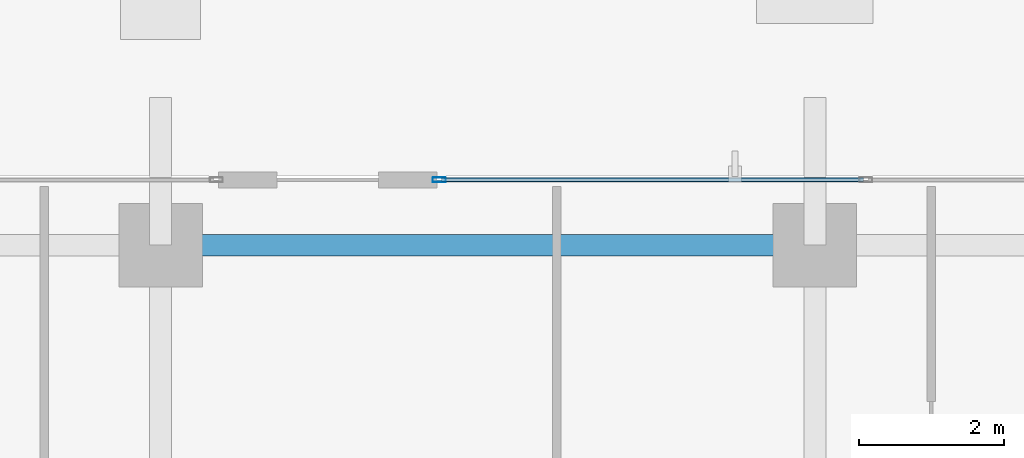
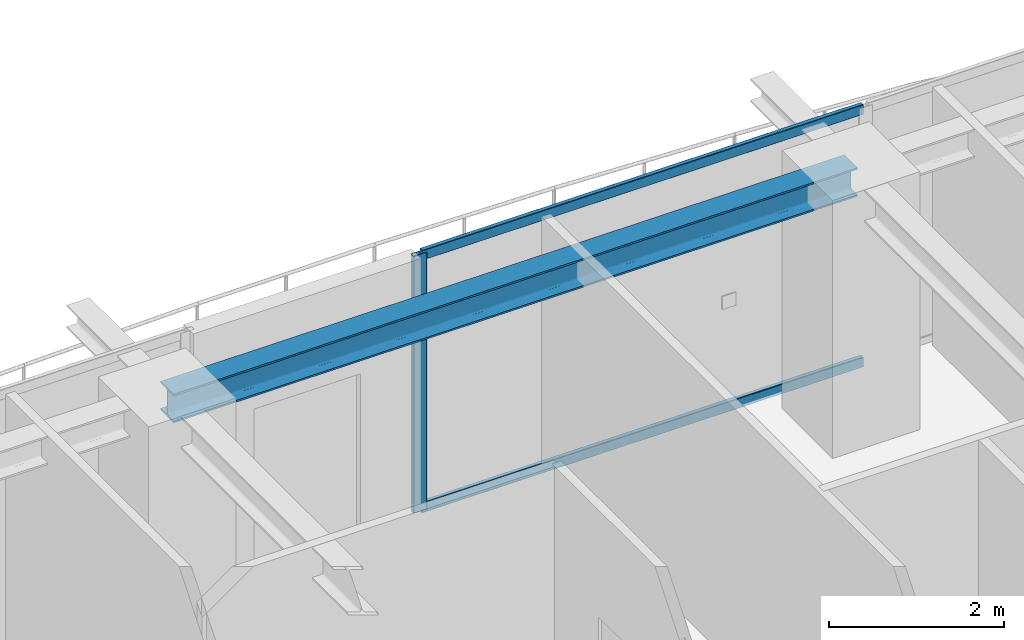
# One storey, part 22 of 40: 3 members, 1 beam, 1 element without a shape of its own.
"""IFC4 building model written with IfcOpenShell, lengths in metres."""

from ifc_helpers import new_model, si_unit, direction, frame, origin, origin_2d, place, context, subcontext, project, spatial, hollow_rectangle, i_section, extrude, source, transform, mapped, material, layer, layer_set, material_profile, profile_set, type_object, element, aggregate, save


model = new_model("IFC4")

# Units and contexts
model_context = context("Model", 3, precision=1e-05, world=origin(), true_north=direction((0.0, 1.0)))
body_context = subcontext(model_context, "Body", "Model", "MODEL_VIEW")
ifc_project = project(units=[si_unit("LENGTHUNIT", "METRE"), si_unit("AREAUNIT", "SQUARE_METRE"), si_unit("VOLUMEUNIT", "CUBIC_METRE"), si_unit("PLANEANGLEUNIT", "RADIAN"), si_unit("MASSUNIT", "GRAM", prefix="KILO")], contexts=[model_context])

# Site, building, storey
site_placement = place(None, origin())
site = spatial("IfcSite", under=ifc_project, at=site_placement, CompositionType="ELEMENT")
building_placement = place(site_placement, origin())
building = spatial("IfcBuilding", under=site, at=building_placement, Name="Serunith Strait Residences", CompositionType="ELEMENT")
storey_placement = place(building_placement, frame((0.0, 0.0, 252.800048828125)))
storey = spatial("IfcBuildingStorey", under=building, at=storey_placement, Name="L63", CompositionType="ELEMENT", Elevation=252.800048828125)

# Beam
ifc_material_1 = material(Name="Steel S355J2", Category="steel")
ifc_material_profile_1 = material_profile(ifc_material_1, i_section(OverallWidth=0.300048828125, OverallDepth=0.39990234375, WebThickness=0.013427734375, FlangeThickness=0.02392578125, FilletRadius=0.027099609375, at=origin_2d()), Name="HEB 400")
ifc_profile_set_1 = profile_set([ifc_material_profile_1], Name="Steel S355J2")
beam_type = type_object("IfcBeamType", Name="BM-HEB400", PredefinedType="BEAM", material=ifc_profile_set_1)
shared_shape_1 = source(origin(), body_context, "Body", "SweptSolid", [
    extrude(i_section(OverallWidth=0.300048828125, OverallDepth=0.39990234375, WebThickness=0.013427734375, FlangeThickness=0.02392578125, FilletRadius=0.027099609375, at=origin_2d()), origin(), (0.0, 0.0, 1.0), 9.0),
])
beam_placement = place(storey_placement, frame((36.89990234375, 48.300048828125, 3.386962890625), z_axis=(-1.0, 0.0, 0.0), x_axis=(0.0, -1.0, 0.0)))
element("IfcBeam", 1, at=beam_placement, inside=storey, type_object=beam_type, Name="L63 Perimeter Ring Beam 10", PredefinedType="BEAM", context=body_context, shape_type="MappedRepresentation", body=[
    mapped(shared_shape_1, transform((0.0, 0.0, 0.0), scale=1.0)),
])

# Curtain wall, members
ifc_material_2 = material(Name="Pale-Champagne Anodised Aluminium", Category="aluminium")
ifc_layer = layer(ifc_material_2, 0.199951171875, Name="Pale-Champagne Anodised Aluminium")
ifc_layer_set = layer_set([ifc_layer], Name="Pale-Champagne Anodised Aluminium")
curtain_wall_type = type_object("IfcCurtainWallType", Name="CW-SYS4", PredefinedType="NOTDEFINED", material=ifc_layer_set)
curtain_wall_placement = place(storey_placement, origin())
curtain_wall = element("IfcCurtainWall", 2, at=curtain_wall_placement, inside=storey, type_object=curtain_wall_type, Name="L63 N Unitised Fritted Curtain Wall", PredefinedType="NOTDEFINED")
ifc_material_profile_2 = material_profile(ifc_material_2, hollow_rectangle(XDim=0.06494140625, YDim=0.179931640625, WallThickness=0.00341796875, InnerFilletRadius=0.00537109375, OuterFilletRadius=0.0087890625, at=origin_2d()), Name="ALU 180x65x3.5")
ifc_profile_set_2 = profile_set([ifc_material_profile_2], Name="Pale-Champagne Anodised Aluminium")
member_type_1 = type_object("IfcMemberType", Name="CW-SYS4-MULL", PredefinedType="MULLION", material=ifc_profile_set_2)
shared_shape_2 = source(origin(), body_context, "Body", "SweptSolid", [
    extrude(hollow_rectangle(XDim=0.06494140625, YDim=0.179931640625, WallThickness=0.00341796875, InnerFilletRadius=0.00537109375, OuterFilletRadius=0.0087890625, at=origin_2d()), origin(), (0.0, 0.0, 1.0), 3.574951171875),
])
member_1_placement = place(storey_placement, frame((31.732421875, 49.199951171875, 0.0), z_axis=(0.0, 0.0, 1.0), x_axis=(0.0, -1.0, 0.0)))
member_1 = element("IfcMember", 3, at=member_1_placement, type_object=member_type_1, Name="CW-4 mullion 4", PredefinedType="MULLION", context=body_context, shape_type="MappedRepresentation", body=[
    mapped(shared_shape_2, transform((0.0, 0.0, 0.0), scale=1.0)),
])
ifc_material_profile_3 = material_profile(ifc_material_2, hollow_rectangle(XDim=0.06005859375, YDim=0.139892578125, WallThickness=0.00341796875, InnerFilletRadius=0.00537109375, OuterFilletRadius=0.0087890625, at=origin_2d()), Name="ALU 140x60x3.5")
ifc_profile_set_3 = profile_set([ifc_material_profile_3], Name="Pale-Champagne Anodised Aluminium")
member_type_2 = type_object("IfcMemberType", Name="CW-SYS4-TRAN", PredefinedType="USERDEFINED", material=ifc_profile_set_3)
shared_shape_3 = source(origin(), body_context, "Body", "SweptSolid", [
    extrude(hollow_rectangle(XDim=0.06005859375, YDim=0.139892578125, WallThickness=0.00341796875, InnerFilletRadius=0.00537109375, OuterFilletRadius=0.0087890625, at=origin_2d()), origin(), (0.0, 0.0, 1.0), 5.802490234375),
])
member_2_placement = place(storey_placement, frame((37.5673828125, 49.199951171875, 0.030029296875), z_axis=(-1.0, 0.0, 0.0), x_axis=(0.0, -1.0, 0.0)))
member_2 = element("IfcMember", 4, at=member_2_placement, type_object=member_type_2, Name="CW-4 transom 3.1", ObjectType="TRANSOM", PredefinedType="USERDEFINED", context=body_context, shape_type="MappedRepresentation", body=[
    mapped(shared_shape_3, transform((0.0, 0.0, 0.0), scale=1.0)),
])
member_3_placement = place(storey_placement, frame((37.5673828125, 49.199951171875, 3.544921875), z_axis=(-1.0, 0.0, 0.0), x_axis=(0.0, -1.0, 0.0)))
member_3 = element("IfcMember", 5, at=member_3_placement, type_object=member_type_2, Name="CW-4 transom 3.2", ObjectType="TRANSOM", PredefinedType="USERDEFINED", context=body_context, shape_type="MappedRepresentation", body=[
    mapped(shared_shape_3, transform((0.0, 0.0, 0.0), scale=1.0)),
])
aggregate(curtain_wall, [member_1, member_2, member_3])

save(model, "model.ifc")
